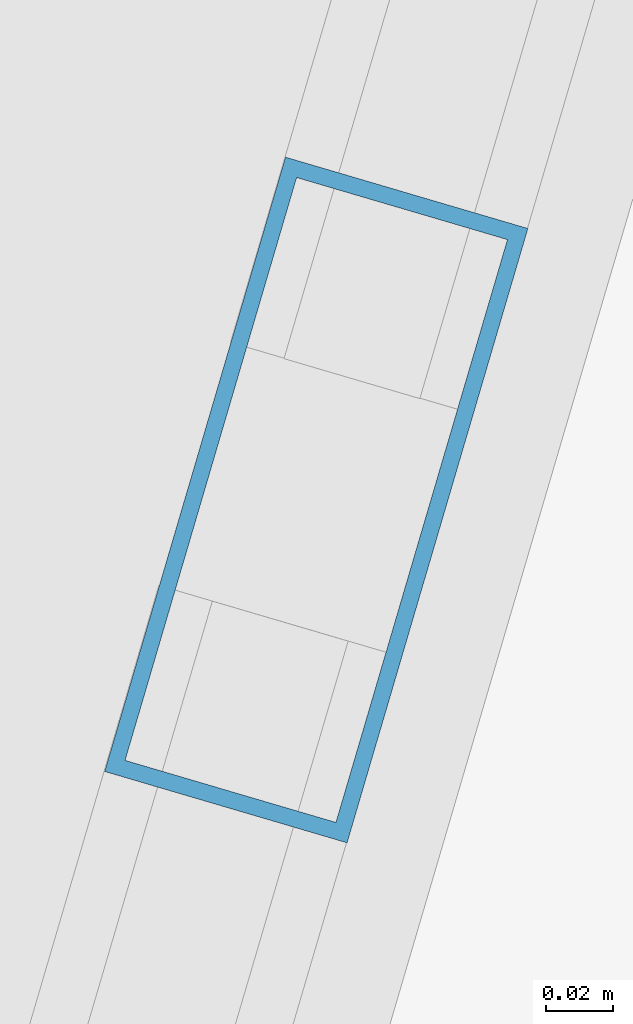
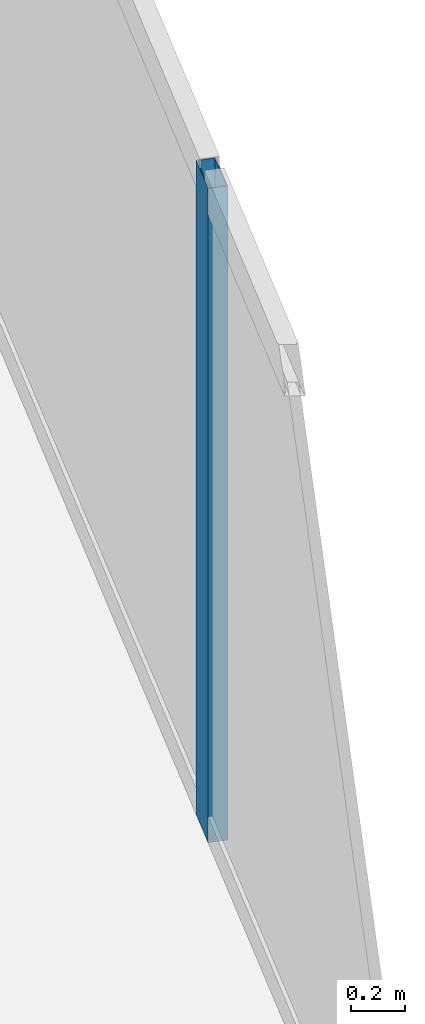
# One storey, part 12 of 26: 1 member, 1 element without a shape of its own.
"""IFC4 building model written with IfcOpenShell, lengths in metres."""

from ifc_helpers import new_model, si_unit, direction, frame, origin, origin_2d, place, context, subcontext, project, spatial, hollow_rectangle, extrude, material, material_profile, profile_set, type_object, element, aggregate, save


model = new_model("IFC4")

# Units and contexts
model_context = context("Model", 3, precision=1e-05, world=origin(), true_north=direction((0.0, 1.0)))
body_context = subcontext(model_context, "Body", "Model", "MODEL_VIEW")
ifc_project = project(units=[si_unit("LENGTHUNIT", "METRE"), si_unit("AREAUNIT", "SQUARE_METRE"), si_unit("VOLUMEUNIT", "CUBIC_METRE"), si_unit("PLANEANGLEUNIT", "RADIAN"), si_unit("MASSUNIT", "GRAM", prefix="KILO")], contexts=[model_context])

# Site, building, storey
site_placement = place(None, origin())
site = spatial("IfcSite", under=ifc_project, at=site_placement, CompositionType="ELEMENT")
building_placement = place(site_placement, origin())
building = spatial("IfcBuilding", under=site, at=building_placement, Name="Haldenkirk Collegiate Tower", CompositionType="ELEMENT")
storey_placement = place(building_placement, frame((0.0, 0.0, 274.949951171875)))
storey = spatial("IfcBuildingStorey", under=building, at=storey_placement, Name="L69", CompositionType="ELEMENT", Elevation=274.949951171875)

# Curtain wall, member
ifc_material = material(Name="Anodised architectural bronze aluminium", Category="aluminium")
curtain_wall_type = type_object("IfcCurtainWallType", Name="CW-SYS2-CONCAVE", PredefinedType="USERDEFINED", material=ifc_material)
curtain_wall_placement = place(storey_placement, origin())
curtain_wall = element("IfcCurtainWall", 1, at=curtain_wall_placement, inside=storey, type_object=curtain_wall_type, Name="L69 South concave recessed bronze-anodised curtain wall", ObjectType="UNITISED CURTAIN WALL", PredefinedType="USERDEFINED")
ifc_material_profile = material_profile(ifc_material, hollow_rectangle(XDim=0.074951171875, YDim=0.18994140625, WallThickness=0.0048828125, at=origin_2d()), Name="CW-MUL-02")
ifc_profile_set = profile_set([ifc_material_profile], Name="Anodised architectural bronze aluminium")
member_type = type_object("IfcMemberType", Name="CW-MUL-02", PredefinedType="MULLION", material=ifc_profile_set)
member_placement = place(storey_placement, frame((59.45068359375, 25.47412109375, 0.0), z_axis=(0.0, 0.0, 1.0), x_axis=(0.9593141571, -0.282340836558, 0.0)))
member = element("IfcMember", 2, at=member_placement, type_object=member_type, Name="CW-02 mullion 2", PredefinedType="MULLION", context=body_context, shape_type="SweptSolid", body=[
    extrude(hollow_rectangle(XDim=0.074951171875, YDim=0.18994140625, WallThickness=0.0048828125, at=origin_2d()), origin(), (0.0, 0.0, 1.0), 2.93798828125),
])
aggregate(curtain_wall, [member])

save(model, "model.ifc")
